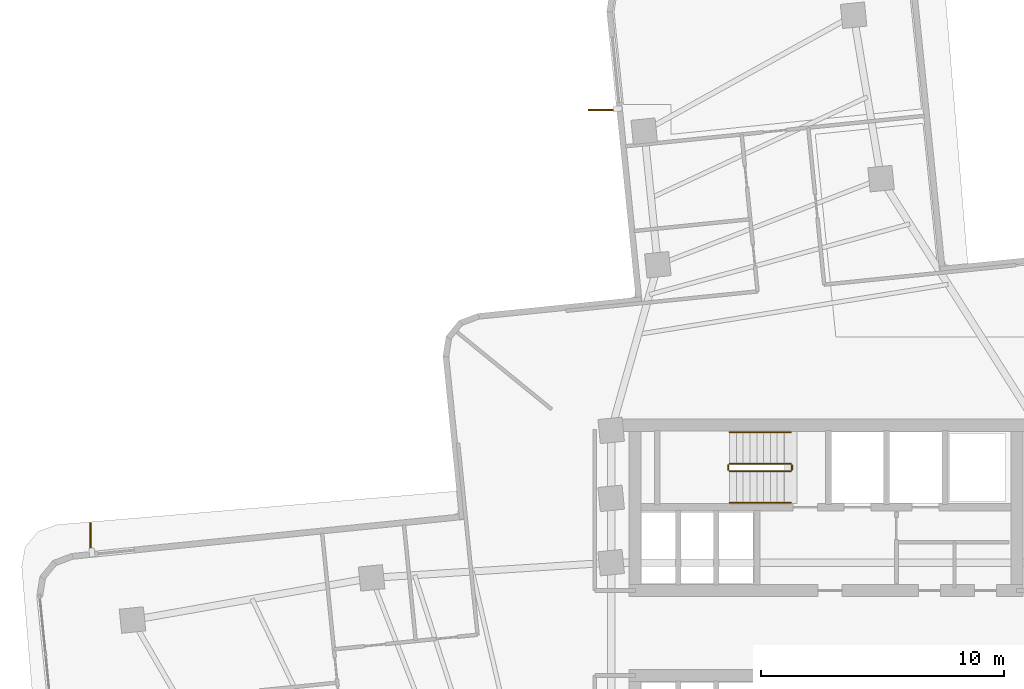
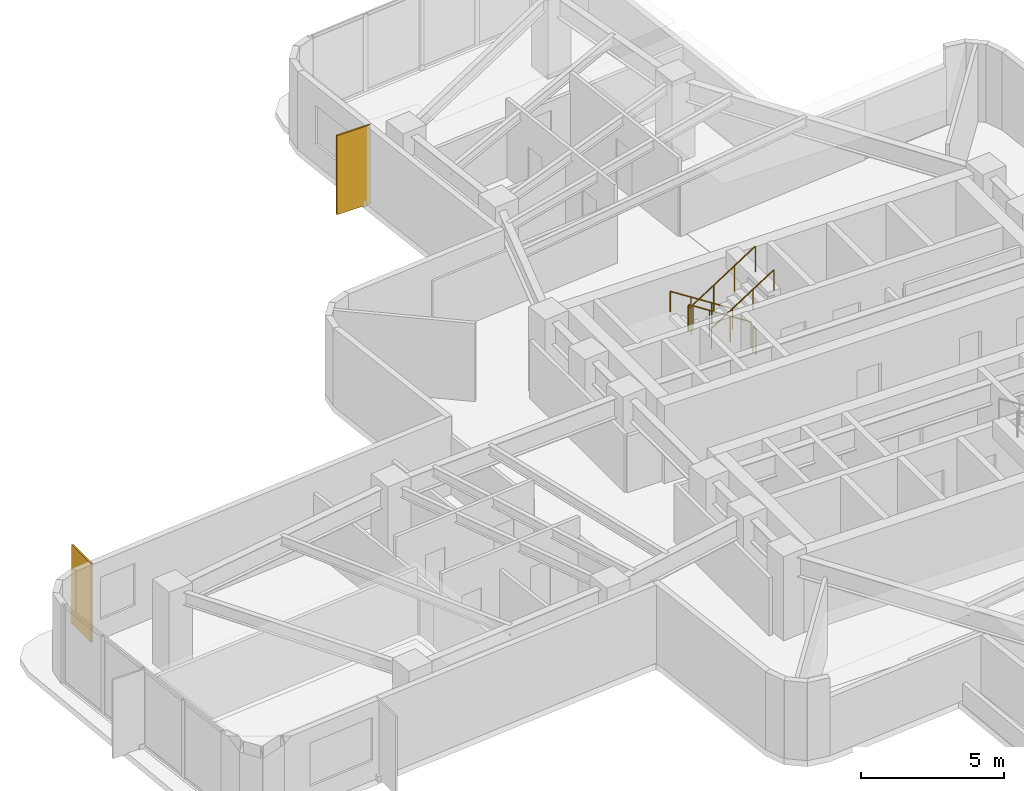
# One storey, part 13 of 14: 6 railings, 2 shading devices.
"""IFC4 building model written with IfcOpenShell, lengths in metres."""

from ifc_helpers import new_model, si_unit, direction, frame, origin, origin_2d, place, context, subcontext, project, spatial, rectangle, circle, extrude, material, layer, layer_set, type_object, element, save


model = new_model("IFC4")

# Units and contexts
model_context = context("Model", 3, precision=1e-05, world=origin(), true_north=direction((0.0, 1.0)))
body_context = subcontext(model_context, "Body", "Model", "MODEL_VIEW")
ifc_project = project(units=[si_unit("LENGTHUNIT", "METRE"), si_unit("AREAUNIT", "SQUARE_METRE"), si_unit("VOLUMEUNIT", "CUBIC_METRE"), si_unit("PLANEANGLEUNIT", "RADIAN"), si_unit("MASSUNIT", "GRAM", prefix="KILO")], contexts=[model_context])

# Site, building, storey
site_placement = place(None, origin())
site = spatial("IfcSite", under=ifc_project, at=site_placement, CompositionType="ELEMENT")
building_placement = place(site_placement, origin())
building = spatial("IfcBuilding", under=site, at=building_placement, Name="Solmarez Civic Tower", CompositionType="ELEMENT")
storey_placement = place(building_placement, frame((0.0, 0.0, 67.679931640625)))
storey = spatial("IfcBuildingStorey", under=building, at=storey_placement, Name="L17", CompositionType="ELEMENT", Elevation=67.679931640625)

# Shading devices
ifc_material_1 = material(Name="Bronze Anodised Aluminium EN AW-6063 T6", Category="aluminium")
ifc_layer = layer(ifc_material_1, 0.06494140625)
ifc_layer_set = layer_set([ifc_layer], Name="Bronze Anodised Aluminium EN AW-6063 T6")
shading_device_type = type_object("IfcShadingDeviceType", Name="FIN-BRONZE-Z12", PredefinedType="USERDEFINED", material=ifc_layer_set)
for number, where, z_axis, x_axis, name in (
    (1, (-30.304931640625, 3.862060546875, -0.039794921875), (0.0, 0.0, 1.0), (-0.003892074406, 0.99999242585, 0.0), "L17 Anodised Bronze Solar Fin FIN-L17-03"),
    (2, (-9.12890625, 21.547119140625, -0.039794921875), (0.0, 0.0, 1.0), (-0.9999925611, -0.003857168083, 0.0), "L17 Anodised Bronze Solar Fin FIN-L17-04"),
):
    element("IfcShadingDevice", number, at=place(storey_placement, frame(where, z_axis=z_axis, x_axis=x_axis)), inside=storey, type_object=shading_device_type, Name=name, ObjectType="FIN", PredefinedType="USERDEFINED", context=body_context, shape_type="SweptSolid", body=[
        extrude(rectangle(XDim=1.35009765625, YDim=0.06494140625, at=origin_2d()), origin(), (0.0, 0.0, 1.0), 3.3798828125),
    ])

# Railings
ifc_material_2 = material(Name="Painted Steel Stairwell Safety Guard", Category="steel")
railing_type_1 = type_object("IfcRailingType", Name="GUARD-STAIR-1120", PredefinedType="BALUSTRADE", material=ifc_material_2)
railing_1_placement = place(storey_placement, frame((-1.449951171875, 6.969970703125, 0.18017578125)))
element("IfcRailing", 3, at=railing_1_placement, inside=storey, type_object=railing_type_1, Name="L17 ST-1 stair guard 1", PredefinedType="BALUSTRADE", context=body_context, shape_type="SweptSolid", body=[
    extrude(circle(Radius=0.02392578125, at=origin_2d()), frame((0.0, 0.0, 1.09619140625), z_axis=(-0.841199657755, 0.0, 0.540724639528), x_axis=(0.0, -1.0, 0.0)), (0.0, 0.0, 1.0), 2.995849609375),
    extrude(circle(Radius=0.02099609375, at=origin_2d()), origin(), (0.0, 0.0, 1.0), 1.072021484375),
    extrude(circle(Radius=0.02099609375, at=origin_2d()), frame((-0.840087890625, 0.0, 0.5400390625)), (0.0, 0.0, 1.0), 1.072021484375),
    extrude(circle(Radius=0.02099609375, at=origin_2d()), frame((-1.679931640625, 0.0, 1.079833984375)), (0.0, 0.0, 1.0), 1.072021484375),
    extrude(circle(Radius=0.02099609375, at=origin_2d()), frame((-2.52001953125, 0.0, 1.619873046875)), (0.0, 0.0, 1.0), 1.072021484375),
])
railing_2_placement = place(storey_placement, frame((-4.02001953125, 6.919921875, 1.800048828125)))
element("IfcRailing", 4, at=railing_2_placement, inside=storey, type_object=railing_type_1, Name="L17 ST-1 stair guard 2", PredefinedType="BALUSTRADE", context=body_context, shape_type="SweptSolid", body=[
    extrude(circle(Radius=0.02392578125, at=origin_2d()), frame((0.0, 0.0, 1.09619140625), z_axis=(0.0, -1.0, 0.0), x_axis=(1.0, 0.0, 0.0)), (0.0, 0.0, 1.0), 0.199951171875),
    extrude(circle(Radius=0.02099609375, at=origin_2d()), origin(), (0.0, 0.0, 1.0), 1.072021484375),
    extrude(circle(Radius=0.02099609375, at=origin_2d()), frame((0.0, -0.199951171875, 0.0)), (0.0, 0.0, 1.0), 1.072021484375),
])
railing_3_placement = place(storey_placement, frame((-3.969970703125, 6.669921875, 1.97998046875)))
element("IfcRailing", 5, at=railing_3_placement, inside=storey, type_object=railing_type_1, Name="L17 ST-1 stair guard 3", PredefinedType="BALUSTRADE", context=body_context, shape_type="SweptSolid", body=[
    extrude(circle(Radius=0.02392578125, at=origin_2d()), frame((0.0, 0.0, 1.09619140625), z_axis=(0.841162588446, 0.0, 0.540782303519), x_axis=(0.0, 1.0, 0.0)), (0.0, 0.0, 1.0), 2.995849609375),
    extrude(circle(Radius=0.02099609375, at=origin_2d()), origin(), (0.0, 0.0, 1.0), 1.072021484375),
    extrude(circle(Radius=0.02099609375, at=origin_2d()), frame((0.840087890625, 0.0, 0.5400390625)), (0.0, 0.0, 1.0), 1.072021484375),
    extrude(circle(Radius=0.02099609375, at=origin_2d()), frame((1.679931640625, 0.0, 1.080078125)), (0.0, 0.0, 1.0), 1.072021484375),
    extrude(circle(Radius=0.02099609375, at=origin_2d()), frame((2.52001953125, 0.0, 1.6201171875)), (0.0, 0.0, 1.0), 1.072021484375),
])
railing_4_placement = place(storey_placement, frame((-1.39990234375, 6.919921875, 0.0)))
element("IfcRailing", 6, at=railing_4_placement, inside=storey, type_object=railing_type_1, Name="L17 ST-1 stair guard 4", PredefinedType="BALUSTRADE", context=body_context, shape_type="SweptSolid", body=[
    extrude(circle(Radius=0.02392578125, at=origin_2d()), frame((0.0, 0.0, 1.09619140625), z_axis=(0.0, -1.0, 0.0), x_axis=(1.0, 0.0, 0.0)), (0.0, 0.0, 1.0), 0.199951171875),
    extrude(circle(Radius=0.02099609375, at=origin_2d()), origin(), (0.0, 0.0, 1.0), 1.072021484375),
    extrude(circle(Radius=0.02099609375, at=origin_2d()), frame((0.0, -0.199951171875, 0.0)), (0.0, 0.0, 1.0), 1.072021484375),
])
ifc_material_3 = material(Name="Brushed Stainless Steel Tube Handrail", Category="steel")
railing_type_2 = type_object("IfcRailingType", Name="HANDRAIL-STAIR-900", PredefinedType="HANDRAIL", material=ifc_material_3)
railing_5_placement = place(storey_placement, frame((-1.449951171875, 8.27001953125, 0.18017578125)))
element("IfcRailing", 7, at=railing_5_placement, inside=storey, type_object=railing_type_2, Name="L17 ST-1 stair handrail 1", PredefinedType="HANDRAIL", context=body_context, shape_type="SweptSolid", body=[
    extrude(circle(Radius=0.02392578125, at=origin_2d()), frame((0.0, 0.0, 0.8759765625), z_axis=(-0.841199657755, 0.0, 0.540724639528), x_axis=(0.0, -1.0, 0.0)), (0.0, 0.0, 1.0), 2.995849609375),
    extrude(circle(Radius=0.02099609375, at=origin_2d()), origin(), (0.0, 0.0, 1.0), 0.851806640625),
    extrude(circle(Radius=0.02099609375, at=origin_2d()), frame((-0.840087890625, 0.0, 0.5400390625)), (0.0, 0.0, 1.0), 0.851806640625),
    extrude(circle(Radius=0.02099609375, at=origin_2d()), frame((-1.679931640625, 0.0, 1.079833984375)), (0.0, 0.0, 1.0), 0.851806640625),
    extrude(circle(Radius=0.02099609375, at=origin_2d()), frame((-2.52001953125, 0.0, 1.619873046875)), (0.0, 0.0, 1.0), 0.851806640625),
])
railing_6_placement = place(storey_placement, frame((-3.969970703125, 5.3701171875, 1.97998046875)))
element("IfcRailing", 8, at=railing_6_placement, inside=storey, type_object=railing_type_2, Name="L17 ST-1 stair handrail 2", PredefinedType="HANDRAIL", context=body_context, shape_type="SweptSolid", body=[
    extrude(circle(Radius=0.02392578125, at=origin_2d()), frame((0.0, 0.0, 0.8759765625), z_axis=(0.841162588446, 0.0, 0.540782303519), x_axis=(0.0, 1.0, 0.0)), (0.0, 0.0, 1.0), 2.995849609375),
    extrude(circle(Radius=0.02099609375, at=origin_2d()), origin(), (0.0, 0.0, 1.0), 0.851806640625),
    extrude(circle(Radius=0.02099609375, at=origin_2d()), frame((0.840087890625, 0.0, 0.5400390625)), (0.0, 0.0, 1.0), 0.851806640625),
    extrude(circle(Radius=0.02099609375, at=origin_2d()), frame((1.679931640625, 0.0, 1.080078125)), (0.0, 0.0, 1.0), 0.851806640625),
    extrude(circle(Radius=0.02099609375, at=origin_2d()), frame((2.52001953125, 0.0, 1.6201171875)), (0.0, 0.0, 1.0), 0.851806640625),
])

save(model, "model.ifc")
